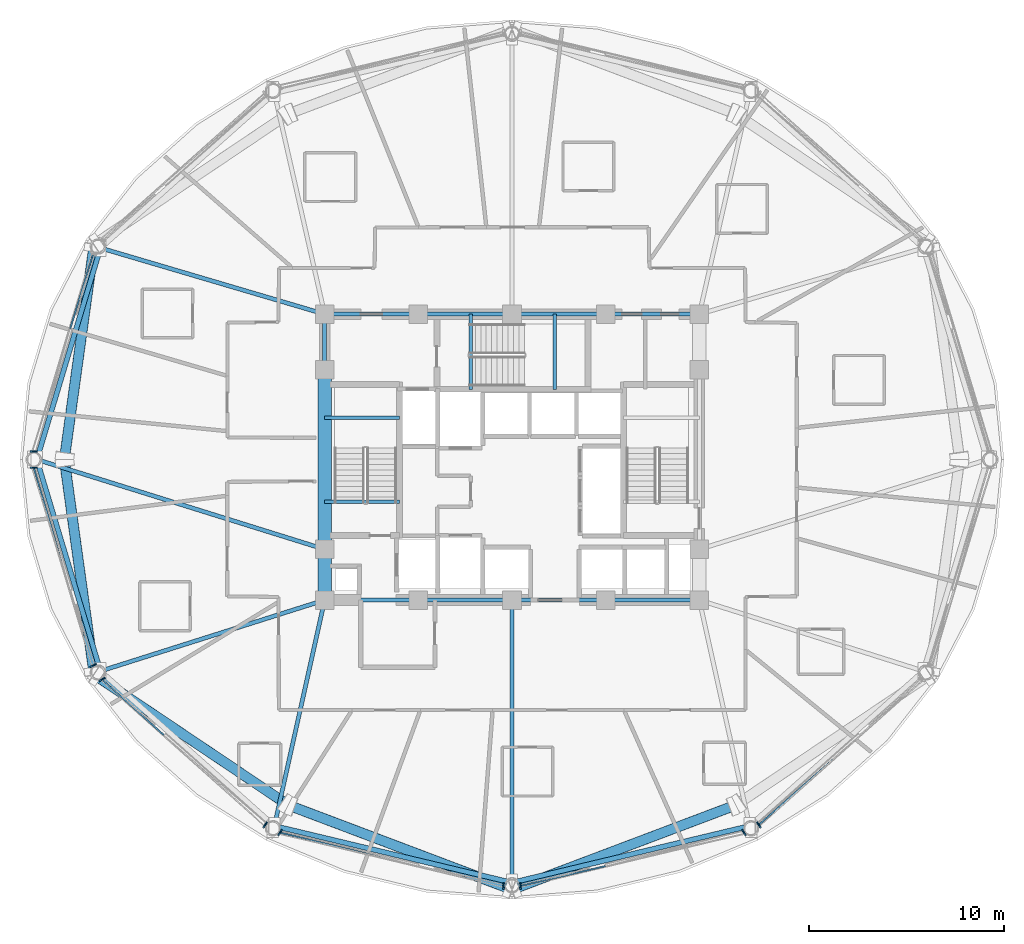
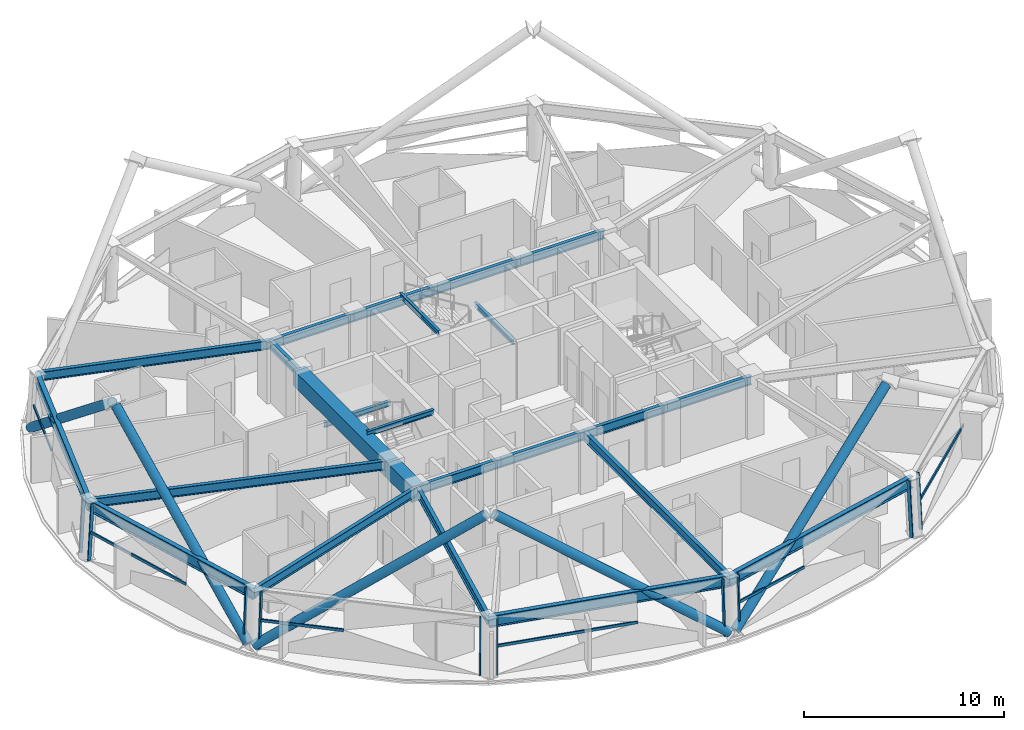
# One storey, part 2 of 13: 24 beams, 21 members, 6 elements without a shape of their own.
"""IFC4 building model written with IfcOpenShell, lengths in metres."""

from ifc_helpers import new_model, si_unit, direction, frame, origin, origin_2d, place, context, subcontext, project, spatial, rectangle, hollow_rectangle, hollow_circle, i_section, extrude, material, layer, layer_set, material_profile, profile_set, type_object, element, aggregate, save


model = new_model("IFC4")

# Units and contexts
model_context = context("Model", 3, precision=1e-05, world=origin(), true_north=direction((0.0, 1.0)))
body_context = subcontext(model_context, "Body", "Model", "MODEL_VIEW")
ifc_project = project(units=[si_unit("LENGTHUNIT", "METRE"), si_unit("AREAUNIT", "SQUARE_METRE"), si_unit("VOLUMEUNIT", "CUBIC_METRE"), si_unit("PLANEANGLEUNIT", "RADIAN"), si_unit("MASSUNIT", "GRAM", prefix="KILO")], contexts=[model_context])

# Site, building, storey
site_placement = place(None, origin())
site = spatial("IfcSite", under=ifc_project, at=site_placement, CompositionType="ELEMENT")
building_placement = place(site_placement, origin())
building = spatial("IfcBuilding", under=site, at=building_placement, Name="Vantalir Tower", CompositionType="ELEMENT")
storey_placement = place(building_placement, frame((0.0, 0.0, 172.199951171875)))
storey = spatial("IfcBuildingStorey", under=building, at=storey_placement, Name="L43", CompositionType="ELEMENT", Elevation=172.199951171875)

# Beams
ifc_material_1 = material(Name="Concrete C60/75", Category="concrete")
ifc_material_profile_1 = material_profile(ifc_material_1, rectangle(XDim=0.699951171875, YDim=0.949951171875, at=origin_2d()), Name="Concrete C60/75")
ifc_profile_set_1 = profile_set([ifc_material_profile_1], Name="Concrete C60/75")
beam_type_1 = type_object("IfcBeamType", Name="BM-CB-700x950", PredefinedType="USERDEFINED", material=ifc_profile_set_1)
beam_1_placement = place(storey_placement, frame((21.89990234375, 29.60009765625, 3.025146484375), z_axis=(0.0, -1.0, 0.0), x_axis=(1.0, 0.0, 0.0)))
element("IfcBeam", 1, at=beam_1_placement, inside=storey, type_object=beam_type_1, Name="L43 Core Coupling Girder 13", ObjectType="GIRDER", PredefinedType="USERDEFINED", context=body_context, shape_type="SweptSolid", body=[
    extrude(rectangle(XDim=0.699951171875, YDim=0.949951171875, at=origin_2d()), origin(), (0.0, 0.0, 1.0), 9.2001953125),
])
beam_2_placement = place(storey_placement, frame((21.89990234375, 20.39990234375, 3.025146484375), z_axis=(0.0, -1.0, 0.0), x_axis=(1.0, 0.0, 0.0)))
element("IfcBeam", 2, at=beam_2_placement, inside=storey, type_object=beam_type_1, Name="L43 Core Coupling Girder 14", ObjectType="GIRDER", PredefinedType="USERDEFINED", context=body_context, shape_type="SweptSolid", body=[
    extrude(rectangle(XDim=0.699951171875, YDim=0.949951171875, at=origin_2d()), origin(), (0.0, 0.0, 1.0), 2.599853515625),
])
ifc_material_2 = material(Name="Steel S355", Category="steel")
ifc_material_profile_2 = material_profile(ifc_material_2, i_section(OverallWidth=0.166015625, OverallDepth=0.306884765625, WebThickness=0.006591796875, FlangeThickness=0.01171875, at=origin_2d()), Name="Steel S355")
ifc_profile_set_2 = profile_set([ifc_material_profile_2], Name="Steel S355")
beam_type_2 = type_object("IfcBeamType", Name="BM-JS-305x165", PredefinedType="JOIST", material=ifc_profile_set_2)
for number, where, z_axis, x_axis, name in (
    (3, (21.89990234375, 22.8349609375, 3.595947265625), (1.0, 0.0, 0.0), (0.0, 1.0, 0.0), "L44 Stair ST1 Well Nosing Trimmer Beam"),
    (4, (21.89990234375, 27.14501953125, 1.52197265625), (1.0, 0.0, 0.0), (0.0, 1.0, 0.0), "L43 Stair ST1 Half-Landing Support Beam"),
):
    element("IfcBeam", number, at=place(storey_placement, frame(where, z_axis=z_axis, x_axis=x_axis)), inside=storey, type_object=beam_type_2, Name=name, PredefinedType="JOIST", context=body_context, shape_type="SweptSolid", body=[
        extrude(i_section(OverallWidth=0.166015625, OverallDepth=0.306884765625, WebThickness=0.006591796875, FlangeThickness=0.01171875, at=origin_2d()), origin(), (0.0, 0.0, 1.0), 3.840087890625),
    ])
for number, where, z_axis, x_axis, name in (
    (5, (29.385009765625, 28.60009765625, 3.595947265625), (0.0, 1.0, 0.0), (-1.0, 0.0, 0.0), "L44 Stair ST3 Well Nosing Trimmer Beam"),
    (6, (33.695068359375, 28.60009765625, 1.52197265625), (0.0, 1.0, 0.0), (-1.0, 0.0, 0.0), "L43 Stair ST3 Half-Landing Support Beam"),
):
    element("IfcBeam", number, at=place(storey_placement, frame(where, z_axis=z_axis, x_axis=x_axis)), inside=storey, type_object=beam_type_2, Name=name, PredefinedType="JOIST", context=body_context, shape_type="SweptSolid", body=[
        extrude(i_section(OverallWidth=0.166015625, OverallDepth=0.306884765625, WebThickness=0.006591796875, FlangeThickness=0.01171875, at=origin_2d()), origin(), (0.0, 0.0, 1.0), 3.849853515625),
    ])
ifc_material_profile_3 = material_profile(ifc_material_2, i_section(OverallWidth=0.2109375, OverallDepth=0.5390625, WebThickness=0.01171875, FlangeThickness=0.018798828125, at=origin_2d()), Name="Steel S355")
ifc_profile_set_3 = profile_set([ifc_material_profile_3], Name="Steel S355")
beam_type_3 = type_object("IfcBeamType", Name="BM-RB-533x210", PredefinedType="BEAM", material=ifc_profile_set_3)
for number, where, z_axis, x_axis, name in (
    (7, (21.89990234375, 17.800048828125, 3.22998046875), (1.0, 0.0, 0.0), (0.0, 1.0, 0.0), "L43 Core Coupling Girder 01"),
    (8, (26.699951171875, 17.800048828125, 3.22998046875), (1.0, 0.0, 0.0), (0.0, 1.0, 0.0), "L43 Core Coupling Girder 02"),
    (9, (31.5, 17.800048828125, 3.22998046875), (1.0, 0.0, 0.0), (0.0, 1.0, 0.0), "L43 Core Coupling Girder 03"),
    (10, (36.300048828125, 17.800048828125, 3.22998046875), (1.0, 0.0, 0.0), (0.0, 1.0, 0.0), "L43 Core Coupling Girder 04"),
    (11, (41.10009765625, 32.449951171875, 3.22998046875), (-1.0, 0.0, 0.0), (0.0, -1.0, 0.0), "L43 Core Coupling Girder 08"),
    (12, (36.300048828125, 32.449951171875, 3.22998046875), (-1.0, 0.0, 0.0), (0.0, -1.0, 0.0), "L43 Core Coupling Girder 09"),
    (13, (31.5, 32.449951171875, 3.22998046875), (-1.0, 0.0, 0.0), (0.0, -1.0, 0.0), "L43 Core Coupling Girder 10"),
    (14, (26.699951171875, 32.449951171875, 3.22998046875), (-1.0, 0.0, 0.0), (0.0, -1.0, 0.0), "L43 Core Coupling Girder 11"),
):
    element("IfcBeam", number, at=place(storey_placement, frame(where, z_axis=z_axis, x_axis=x_axis)), inside=storey, type_object=beam_type_3, Name=name, PredefinedType="BEAM", context=body_context, shape_type="SweptSolid", body=[
        extrude(i_section(OverallWidth=0.2109375, OverallDepth=0.5390625, WebThickness=0.01171875, FlangeThickness=0.018798828125, at=origin_2d()), origin(), (0.0, 0.0, 1.0), 4.800048828125),
    ])
beam_3_placement = place(storey_placement, frame((21.89990234375, 32.449951171875, 3.22998046875), z_axis=(0.0, -1.0, 0.0), x_axis=(1.0, 0.0, 0.0)))
element("IfcBeam", 15, at=beam_3_placement, inside=storey, type_object=beam_type_3, Name="L43 Core Coupling Girder 12", PredefinedType="BEAM", context=body_context, shape_type="SweptSolid", body=[
    extrude(i_section(OverallWidth=0.2109375, OverallDepth=0.5390625, WebThickness=0.01171875, FlangeThickness=0.018798828125, at=origin_2d()), origin(), (0.0, 0.0, 1.0), 2.849853515625),
])
beam_4_placement = place(storey_placement, frame((10.412109375, 35.841064453125, 3.22998046875), z_axis=(0.959085906507, -0.283115213189, 0.0), x_axis=(0.283115213189, 0.959085906507, 0.0)))
element("IfcBeam", 16, at=beam_4_placement, inside=storey, type_object=beam_type_3, Name="L43 Radial Floor Beam 06", PredefinedType="BEAM", context=body_context, shape_type="SweptSolid", body=[
    extrude(i_section(OverallWidth=0.2109375, OverallDepth=0.5390625, WebThickness=0.01171875, FlangeThickness=0.018798828125, at=origin_2d()), origin(), (0.0, 0.0, 1.0), 11.977783203125),
])
beam_5_placement = place(storey_placement, frame((7.14990234375, 25.0, 3.22998046875), z_axis=(0.954650767625, -0.297727915843, 0.0), x_axis=(0.297727915843, 0.954650767625, 0.0)))
element("IfcBeam", 17, at=beam_5_placement, inside=storey, type_object=beam_type_3, Name="L43 Radial Floor Beam 07", PredefinedType="BEAM", context=body_context, shape_type="SweptSolid", body=[
    extrude(i_section(OverallWidth=0.2109375, OverallDepth=0.5390625, WebThickness=0.01171875, FlangeThickness=0.018798828125, at=origin_2d()), origin(), (0.0, 0.0, 1.0), 15.45068359375),
])
beam_6_placement = place(storey_placement, frame((10.412109375, 14.158935546875, 3.22998046875), z_axis=(0.953263090273, 0.30214149123, 0.0), x_axis=(-0.30214149123, 0.953263090273, 0.0)))
element("IfcBeam", 18, at=beam_6_placement, inside=storey, type_object=beam_type_3, Name="L43 Radial Floor Beam 08", PredefinedType="BEAM", context=body_context, shape_type="SweptSolid", body=[
    extrude(i_section(OverallWidth=0.2109375, OverallDepth=0.5390625, WebThickness=0.01171875, FlangeThickness=0.018798828125, at=origin_2d()), origin(), (0.0, 0.0, 1.0), 12.051025390625),
])
beam_7_placement = place(storey_placement, frame((19.324951171875, 6.222900390625, 3.22998046875), z_axis=(0.217111361055, 0.976146841874, 0.0), x_axis=(-0.976146841874, 0.217111361055, 0.0)))
element("IfcBeam", 19, at=beam_7_placement, inside=storey, type_object=beam_type_3, Name="L43 Radial Floor Beam 09", PredefinedType="BEAM", context=body_context, shape_type="SweptSolid", body=[
    extrude(i_section(OverallWidth=0.2109375, OverallDepth=0.5390625, WebThickness=0.01171875, FlangeThickness=0.018798828125, at=origin_2d()), origin(), (0.0, 0.0, 1.0), 11.860107421875),
])
beam_8_placement = place(storey_placement, frame((31.5, 3.318115234375, 3.22998046875), z_axis=(0.0, 1.0, 0.0), x_axis=(-1.0, 0.0, 0.0)))
element("IfcBeam", 20, at=beam_8_placement, inside=storey, type_object=beam_type_3, Name="L43 Radial Floor Beam 10", PredefinedType="BEAM", context=body_context, shape_type="SweptSolid", body=[
    extrude(i_section(OverallWidth=0.2109375, OverallDepth=0.5390625, WebThickness=0.01171875, FlangeThickness=0.018798828125, at=origin_2d()), origin(), (0.0, 0.0, 1.0), 14.48193359375),
])
ifc_material_3 = material(Name="Steel S460", Category="steel")
ifc_material_profile_4 = material_profile(ifc_material_3, i_section(OverallWidth=0.256103515625, OverallDepth=0.693115234375, WebThickness=0.014404296875, FlangeThickness=0.023681640625, at=origin_2d()), Name="Steel S460")
ifc_profile_set_4 = profile_set([ifc_material_profile_4], Name="Steel S460")
beam_type_4 = type_object("IfcBeamType", Name="BM-RG-686x254", PredefinedType="USERDEFINED", material=ifc_profile_set_4)
for number, where, z_axis, x_axis, name in (
    (21, (10.412109375, 35.841064453125, 3.154052734375), (-0.288149046466, -0.957585571644, 0.0), (0.957585571644, -0.288149046466, 0.0), "L43 Circumferential Ring Girder 06"),
    (22, (7.14990234375, 25.0, 3.154052734375), (0.288149046466, -0.957585571644, 0.0), (0.957585571644, 0.288149046466, 0.0), "L43 Circumferential Ring Girder 07"),
):
    element("IfcBeam", number, at=place(storey_placement, frame(where, z_axis=z_axis, x_axis=x_axis)), inside=storey, type_object=beam_type_4, Name=name, ObjectType="GIRDER", PredefinedType="USERDEFINED", context=body_context, shape_type="SweptSolid", body=[
        extrude(i_section(OverallWidth=0.256103515625, OverallDepth=0.693115234375, WebThickness=0.014404296875, FlangeThickness=0.023681640625, at=origin_2d()), origin(), (0.0, 0.0, 1.0), 11.3212890625),
    ])
for number, where, z_axis, x_axis, name in (
    (23, (19.324951171875, 6.222900390625, 3.154052734375), (0.972698748536, -0.232071421326, 0.0), (0.232071421326, 0.972698748536, 0.0), "L43 Circumferential Ring Girder 09"),
    (24, (31.5, 3.318115234375, 3.154052734375), (0.972698748536, 0.232071421326, 0.0), (-0.232071421326, 0.972698748536, 0.0), "L43 Circumferential Ring Girder 10"),
):
    element("IfcBeam", number, at=place(storey_placement, frame(where, z_axis=z_axis, x_axis=x_axis)), inside=storey, type_object=beam_type_4, Name=name, ObjectType="GIRDER", PredefinedType="USERDEFINED", context=body_context, shape_type="SweptSolid", body=[
        extrude(i_section(OverallWidth=0.256103515625, OverallDepth=0.693115234375, WebThickness=0.014404296875, FlangeThickness=0.023681640625, at=origin_2d()), origin(), (0.0, 0.0, 1.0), 12.516845703125),
    ])

# Curtain wall, member
ifc_material_4 = material(Name="Champagne-silver PVDF aluminium and double-silver Low-E glass", Category="aluminium")
ifc_layer = layer(ifc_material_4, 0.199951171875)
ifc_layer_set = layer_set([ifc_layer], Name="Champagne-silver PVDF aluminium and double-silver Low-E glass")
curtain_wall_type = type_object("IfcCurtainWallType", Name="CW-DIAMOND-Z2", PredefinedType="USERDEFINED", material=ifc_layer_set)
curtain_wall_1_placement = place(storey_placement, origin())
curtain_wall_1 = element("IfcCurtainWall", 25, at=curtain_wall_1_placement, inside=storey, type_object=curtain_wall_type, Name="L43 Quilted Pyramid-Diamond Curtain Wall S06", ObjectType="UNITISED CURTAIN WALL", PredefinedType="USERDEFINED")
ifc_material_5 = material(Name="Champagne-silver PVDF aluminium 6063-T6", Category="aluminium")
ifc_material_profile_5 = material_profile(ifc_material_5, hollow_rectangle(XDim=0.074951171875, YDim=0.179931640625, WallThickness=0.00390625, at=origin_2d()), Name="Champagne-silver PVDF aluminium 6063-T6")
ifc_profile_set_5 = profile_set([ifc_material_profile_5], Name="Champagne-silver PVDF aluminium 6063-T6")
member_type_1 = type_object("IfcMemberType", Name="CWM-180x75", PredefinedType="MULLION", material=ifc_profile_set_5)
member_1_placement = place(storey_placement, frame((6.90087890625, 25.4208984375, 0.045166015625), z_axis=(0.054476156984, 0.0, 0.998515071654), x_axis=(0.0, 1.0, 0.0)))
member_1 = element("IfcMember", 26, at=member_1_placement, type_object=member_type_1, Name="CW-L43-S06 Mullion 2", PredefinedType="MULLION", context=body_context, shape_type="SweptSolid", body=[
    extrude(hollow_rectangle(XDim=0.074951171875, YDim=0.179931640625, WallThickness=0.00390625, at=origin_2d()), origin(), (0.0, 0.0, 1.0), 3.4150390625),
])

# Curtain wall, members
curtain_wall_2_placement = place(storey_placement, origin())
curtain_wall_2 = element("IfcCurtainWall", 27, at=curtain_wall_2_placement, inside=storey, type_object=curtain_wall_type, Name="L43 Quilted Pyramid-Diamond Curtain Wall S07", ObjectType="UNITISED CURTAIN WALL", PredefinedType="USERDEFINED")
member_2_placement = place(storey_placement, frame((6.90087890625, 24.5791015625, 0.045166015625), z_axis=(0.054476156984, 0.0, 0.998515071654), x_axis=(0.0, 1.0, 0.0)))
member_2 = element("IfcMember", 28, at=member_2_placement, type_object=member_type_1, Name="CW-L43-S07 Mullion 1", PredefinedType="MULLION", context=body_context, shape_type="SweptSolid", body=[
    extrude(hollow_rectangle(XDim=0.074951171875, YDim=0.179931640625, WallThickness=0.00390625, at=origin_2d()), origin(), (0.0, 0.0, 1.0), 3.4150390625),
])
member_3_placement = place(storey_placement, frame((9.9599609375, 14.402099609375, 0.045166015625), z_axis=(0.047187623681, 0.024308775836, 0.998590212043), x_axis=(-0.457956589674, 0.888974556427, 0.0)))
member_3 = element("IfcMember", 29, at=member_3_placement, type_object=member_type_1, Name="CW-L43-S07 Mullion 2", PredefinedType="MULLION", context=body_context, shape_type="SweptSolid", body=[
    extrude(hollow_rectangle(XDim=0.074951171875, YDim=0.179931640625, WallThickness=0.00390625, at=origin_2d()), origin(), (0.0, 0.0, 1.0), 3.414794921875),
])

curtain_wall_3_placement = place(storey_placement, origin())
curtain_wall_3 = element("IfcCurtainWall", 30, at=curtain_wall_3_placement, inside=storey, type_object=curtain_wall_type, Name="L43 Quilted Pyramid-Diamond Curtain Wall S08", ObjectType="UNITISED CURTAIN WALL", PredefinedType="USERDEFINED")
member_4_placement = place(storey_placement, frame((10.4150390625, 13.68798828125, 0.045166015625), z_axis=(0.047116286119, 0.024308857785, 0.998593578497), x_axis=(-0.458505511118, 0.888691564197, 0.0)))
member_4 = element("IfcMember", 31, at=member_4_placement, type_object=member_type_1, Name="CW-L43-S08 Mullion 1", PredefinedType="MULLION", context=body_context, shape_type="SweptSolid", body=[
    extrude(hollow_rectangle(XDim=0.074951171875, YDim=0.179931640625, WallThickness=0.00390625, at=origin_2d()), origin(), (0.0, 0.0, 1.0), 3.414794921875),
])
member_5_placement = place(storey_placement, frame((18.80908203125, 6.2080078125, 0.045166015625), z_axis=(0.027244490604, 0.041903599722, 0.998750131946), x_axis=(-0.838378236509, 0.545088921689, 0.0)))
member_5 = element("IfcMember", 32, at=member_5_placement, type_object=member_type_1, Name="CW-L43-S08 Mullion 2", PredefinedType="MULLION", context=body_context, shape_type="SweptSolid", body=[
    extrude(hollow_rectangle(XDim=0.074951171875, YDim=0.179931640625, WallThickness=0.00390625, at=origin_2d()), origin(), (0.0, 0.0, 1.0), 3.4140625),
])

curtain_wall_4_placement = place(storey_placement, origin())
curtain_wall_4 = element("IfcCurtainWall", 33, at=curtain_wall_4_placement, inside=storey, type_object=curtain_wall_type, Name="L43 Quilted Pyramid-Diamond Curtain Wall S09", ObjectType="UNITISED CURTAIN WALL", PredefinedType="USERDEFINED")
member_6_placement = place(storey_placement, frame((19.56494140625, 5.81298828125, 0.045166015625), z_axis=(0.027244490604, 0.041903599722, 0.998750131946), x_axis=(-0.838378236509, 0.545088921689, 0.0)))
member_6 = element("IfcMember", 34, at=member_6_placement, type_object=member_type_1, Name="CW-L43-S09 Mullion 1", PredefinedType="MULLION", context=body_context, shape_type="SweptSolid", body=[
    extrude(hollow_rectangle(XDim=0.074951171875, YDim=0.179931640625, WallThickness=0.00390625, at=origin_2d()), origin(), (0.0, 0.0, 1.0), 3.4140625),
])
member_7_placement = place(storey_placement, frame((31.072021484375, 3.06396484375, 0.045166015625), z_axis=(0.0, 0.048628589719, 0.998816930304), x_axis=(-1.0, 0.0, 0.0)))
member_7 = element("IfcMember", 35, at=member_7_placement, type_object=member_type_1, Name="CW-L43-S09 Mullion 2", PredefinedType="MULLION", context=body_context, shape_type="SweptSolid", body=[
    extrude(hollow_rectangle(XDim=0.074951171875, YDim=0.179931640625, WallThickness=0.00390625, at=origin_2d()), origin(), (0.0, 0.0, 1.0), 3.4140625),
])

curtain_wall_5_placement = place(storey_placement, origin())
curtain_wall_5 = element("IfcCurtainWall", 36, at=curtain_wall_5_placement, inside=storey, type_object=curtain_wall_type, Name="L43 Quilted Pyramid-Diamond Curtain Wall S10", ObjectType="UNITISED CURTAIN WALL", PredefinedType="USERDEFINED")
member_8_placement = place(storey_placement, frame((31.927978515625, 3.06396484375, 0.045166015625), z_axis=(0.0, 0.048628589719, 0.998816930304), x_axis=(-1.0, 0.0, 0.0)))
member_8 = element("IfcMember", 37, at=member_8_placement, type_object=member_type_1, Name="CW-L43-S10 Mullion 1", PredefinedType="MULLION", context=body_context, shape_type="SweptSolid", body=[
    extrude(hollow_rectangle(XDim=0.074951171875, YDim=0.179931640625, WallThickness=0.00390625, at=origin_2d()), origin(), (0.0, 0.0, 1.0), 3.4140625),
])
member_9_placement = place(storey_placement, frame((43.43505859375, 5.81298828125, 0.045166015625), z_axis=(-0.027244490604, 0.041903599722, 0.998750131946), x_axis=(-0.838378236509, -0.545088921689, 0.0)))
member_9 = element("IfcMember", 38, at=member_9_placement, type_object=member_type_1, Name="CW-L43-S10 Mullion 2", PredefinedType="MULLION", context=body_context, shape_type="SweptSolid", body=[
    extrude(hollow_rectangle(XDim=0.074951171875, YDim=0.179931640625, WallThickness=0.00390625, at=origin_2d()), origin(), (0.0, 0.0, 1.0), 3.4140625),
])

# Curtain wall, member
curtain_wall_6_placement = place(storey_placement, origin())
curtain_wall_6 = element("IfcCurtainWall", 39, at=curtain_wall_6_placement, inside=storey, type_object=curtain_wall_type, Name="L43 Quilted Pyramid-Diamond Curtain Wall S11", ObjectType="UNITISED CURTAIN WALL", PredefinedType="USERDEFINED")
member_10_placement = place(storey_placement, frame((44.19091796875, 6.2080078125, 0.045166015625), z_axis=(-0.027244490604, 0.041903599722, 0.998750131946), x_axis=(-0.838378236509, -0.545088921689, 0.0)))
member_10 = element("IfcMember", 40, at=member_10_placement, type_object=member_type_1, Name="CW-L43-S11 Mullion 1", PredefinedType="MULLION", context=body_context, shape_type="SweptSolid", body=[
    extrude(hollow_rectangle(XDim=0.074951171875, YDim=0.179931640625, WallThickness=0.00390625, at=origin_2d()), origin(), (0.0, 0.0, 1.0), 3.4140625),
])

# Member
ifc_material_profile_6 = material_profile(ifc_material_5, hollow_rectangle(XDim=0.074951171875, YDim=0.159912109375, WallThickness=0.00390625, at=origin_2d()), Name="Champagne-silver PVDF aluminium 6063-T6")
ifc_profile_set_6 = profile_set([ifc_material_profile_6], Name="Champagne-silver PVDF aluminium 6063-T6")
member_type_2 = type_object("IfcMemberType", Name="CWT-160x75", PredefinedType="USERDEFINED", material=ifc_profile_set_6)
member_11_placement = place(storey_placement, frame((10.041015625, 35.555908203125, 1.75), z_axis=(-0.2936634622, -0.955908871686, 0.0), x_axis=(0.955908871686, -0.2936634622, 0.0)))
member_11 = element("IfcMember", 41, at=member_11_placement, type_object=member_type_2, Name="CW-L43-S06 Pyramid Fold Ridge Transom", ObjectType="TRANSOM", PredefinedType="USERDEFINED", context=body_context, shape_type="SweptSolid", body=[
    extrude(hollow_rectangle(XDim=0.074951171875, YDim=0.159912109375, WallThickness=0.00390625, at=origin_2d()), origin(), (0.0, 0.0, 1.0), 4.021240234375),
])

aggregate(curtain_wall_1, [member_1, member_11])

member_12_placement = place(storey_placement, frame((6.993896484375, 24.5791015625, 1.75), z_axis=(0.284397405214, -0.958706480581, 0.0), x_axis=(0.958706480581, 0.284397405214, 0.0)))
member_12 = element("IfcMember", 42, at=member_12_placement, type_object=member_type_2, Name="CW-L43-S07 Pyramid Fold Ridge Transom", ObjectType="TRANSOM", PredefinedType="USERDEFINED", context=body_context, shape_type="SweptSolid", body=[
    extrude(hollow_rectangle(XDim=0.074951171875, YDim=0.159912109375, WallThickness=0.00390625, at=origin_2d()), origin(), (0.0, 0.0, 1.0), 6.56201171875),
])

aggregate(curtain_wall_2, [member_2, member_3, member_12])

member_13_placement = place(storey_placement, frame((10.49609375, 13.72998046875, 1.75), z_axis=(0.742851363455, -0.669456385295, 0.0), x_axis=(0.669456385295, 0.742851363455, 0.0)))
member_13 = element("IfcMember", 43, at=member_13_placement, type_object=member_type_2, Name="CW-L43-S08 Pyramid Fold Ridge Transom", ObjectType="TRANSOM", PredefinedType="USERDEFINED", context=body_context, shape_type="SweptSolid", body=[
    extrude(hollow_rectangle(XDim=0.074951171875, YDim=0.159912109375, WallThickness=0.00390625, at=origin_2d()), origin(), (0.0, 0.0, 1.0), 4.251220703125),
])

aggregate(curtain_wall_3, [member_4, member_5, member_13])

member_14_placement = place(storey_placement, frame((19.611083984375, 5.884033203125, 1.75), z_axis=(0.97189529896, -0.235413525225, 0.0), x_axis=(0.235413525225, 0.97189529896, 0.0)))
member_14 = element("IfcMember", 44, at=member_14_placement, type_object=member_type_2, Name="CW-L43-S09 Pyramid Fold Ridge Transom", ObjectType="TRANSOM", PredefinedType="USERDEFINED", context=body_context, shape_type="SweptSolid", body=[
    extrude(hollow_rectangle(XDim=0.074951171875, YDim=0.159912109375, WallThickness=0.00390625, at=origin_2d()), origin(), (0.0, 0.0, 1.0), 7.30615234375),
])

aggregate(curtain_wall_4, [member_6, member_7, member_14])

member_15_placement = place(storey_placement, frame((31.927978515625, 3.14697265625, 1.75), z_axis=(0.973854481496, 0.227172729151, 0.0), x_axis=(-0.227172729151, 0.973854481496, 0.0)))
member_15 = element("IfcMember", 45, at=member_15_placement, type_object=member_type_2, Name="CW-L43-S10 Pyramid Fold Ridge Transom", ObjectType="TRANSOM", PredefinedType="USERDEFINED", context=body_context, shape_type="SweptSolid", body=[
    extrude(hollow_rectangle(XDim=0.074951171875, YDim=0.159912109375, WallThickness=0.00390625, at=origin_2d()), origin(), (0.0, 0.0, 1.0), 4.47705078125),
])

aggregate(curtain_wall_5, [member_8, member_9, member_15])

member_16_placement = place(storey_placement, frame((44.14501953125, 6.279052734375, 1.75), z_axis=(0.748699312899, 0.662909751674, 0.0), x_axis=(-0.662909751674, 0.748699312899, 0.0)))
member_16 = element("IfcMember", 46, at=member_16_placement, type_object=member_type_2, Name="CW-L43-S11 Pyramid Fold Ridge Transom", ObjectType="TRANSOM", PredefinedType="USERDEFINED", context=body_context, shape_type="SweptSolid", body=[
    extrude(hollow_rectangle(XDim=0.074951171875, YDim=0.159912109375, WallThickness=0.00390625, at=origin_2d()), origin(), (0.0, 0.0, 1.0), 6.946533203125),
])

aggregate(curtain_wall_6, [member_10, member_16])

# Members
ifc_material_profile_7 = material_profile(ifc_material_3, hollow_circle(Radius=0.260009765625, WallThickness=0.0380859375, at=origin_2d()), Name="Steel S460")
ifc_profile_set_7 = profile_set([ifc_material_profile_7], Name="Steel S460")
member_type_3 = type_object("IfcMemberType", Name="MEM-DB-520x38", PredefinedType="BRACE", material=ifc_profile_set_7)
member_17_placement = place(storey_placement, frame((10.06298828125, 35.847900390625, 0.217041015625), z_axis=(-0.107568267743, -0.776540616241, 0.620816993246), x_axis=(0.99054167511, -0.137212207436, 0.0)))
element("IfcMember", 47, at=member_17_placement, inside=storey, type_object=member_type_3, Name="L43 Perimeter S460 Diagrid Brace R16L", PredefinedType="BRACE", context=body_context, shape_type="SweptSolid", body=[
    extrude(hollow_circle(Radius=0.260009765625, WallThickness=0.0380859375, at=origin_2d()), origin(), (0.0, 0.0, 1.0), 13.74951171875),
])
member_18_placement = place(storey_placement, frame((10.23388671875, 13.882080078125, 0.2099609375), z_axis=(0.6685604634, -0.449535569538, 0.592405839352), x_axis=(0.557985872805, 0.829850447822, 0.0)))
element("IfcMember", 48, at=member_18_placement, inside=storey, type_object=member_type_3, Name="L43 Perimeter S460 Diagrid Brace R22L", PredefinedType="BRACE", context=body_context, shape_type="SweptSolid", body=[
    extrude(hollow_circle(Radius=0.260009765625, WallThickness=0.0380859375, at=origin_2d()), origin(), (0.0, 0.0, 1.0), 14.432861328125),
])
member_19_placement = place(storey_placement, frame((10.06298828125, 14.152099609375, 0.217041015625), z_axis=(-0.107568267743, 0.776540616241, 0.620816993246), x_axis=(-0.99054167511, -0.137212207436, 0.0)))
element("IfcMember", 49, at=member_19_placement, inside=storey, type_object=member_type_3, Name="L43 Perimeter S460 Diagrid Brace R22R", PredefinedType="BRACE", context=body_context, shape_type="SweptSolid", body=[
    extrude(hollow_circle(Radius=0.260009765625, WallThickness=0.0380859375, at=origin_2d()), origin(), (0.0, 0.0, 1.0), 13.74951171875),
])
for number, where, z_axis, x_axis, name in (
    (50, (31.6669921875, 3.02490234375, 0.2080078125), (0.759680967937, 0.286997619966, 0.583538510373), (-0.353408146516, 0.935469230908, 0.0), "L43 Perimeter S460 Diagrid Brace R28L"),
    (51, (31.3330078125, 3.02490234375, 0.2080078125), (-0.759680967937, 0.286997619966, 0.583538510373), (-0.353408146516, -0.935469230908, 0.0), "L43 Perimeter S460 Diagrid Brace R28R"),
):
    element("IfcMember", number, at=place(storey_placement, frame(where, z_axis=z_axis, x_axis=x_axis)), inside=storey, type_object=member_type_3, Name=name, PredefinedType="BRACE", context=body_context, shape_type="SweptSolid", body=[
        extrude(hollow_circle(Radius=0.260009765625, WallThickness=0.0380859375, at=origin_2d()), origin(), (0.0, 0.0, 1.0), 14.65869140625),
    ])

save(model, "model.ifc")
